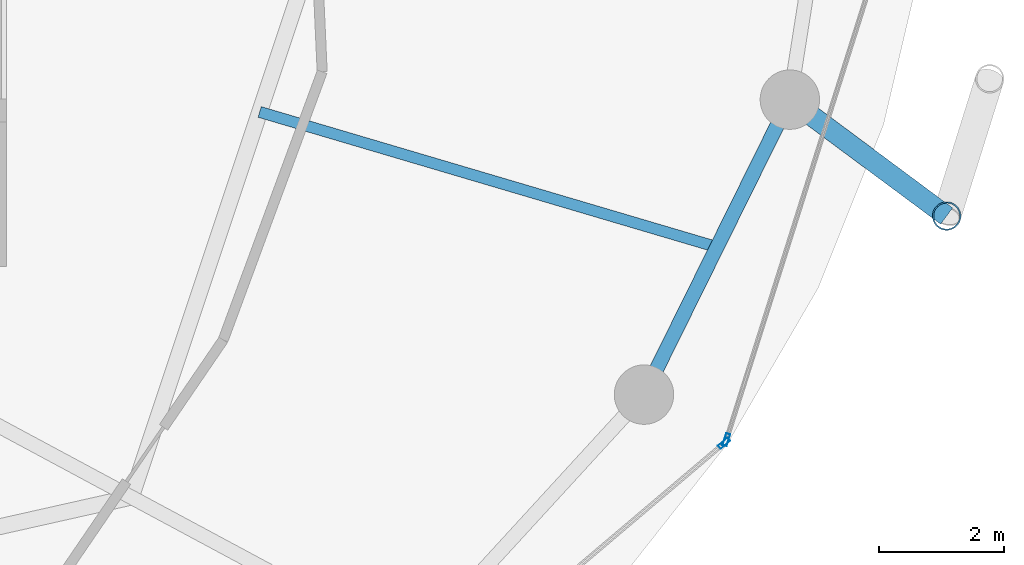
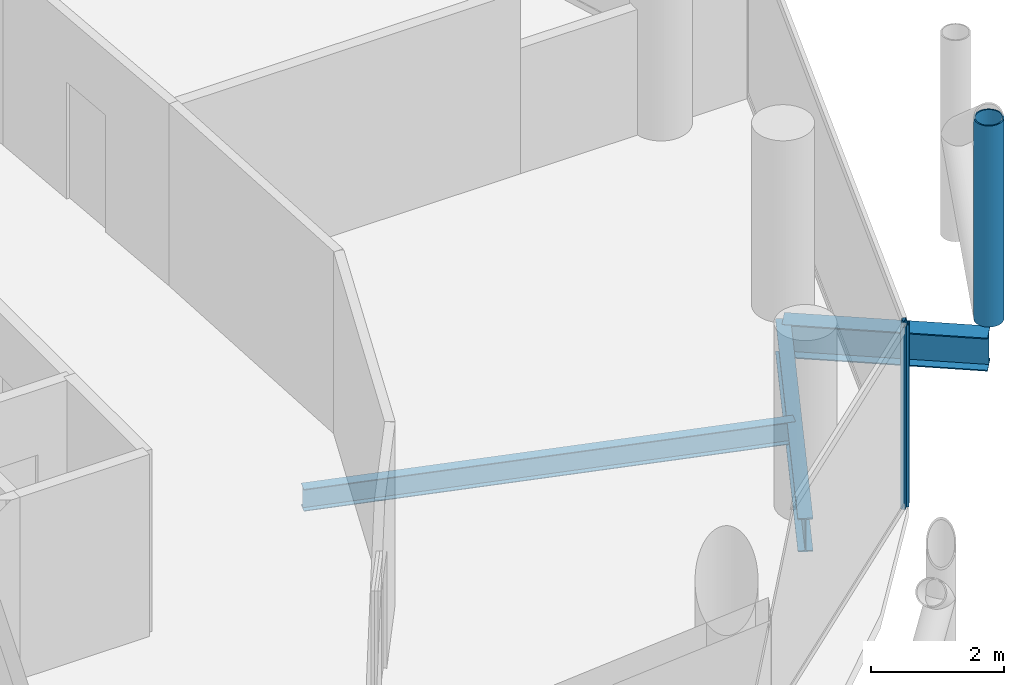
# One storey, part 10 of 26: 3 beams, 3 members, 2 elements without a shape of their own.
"""IFC4 building model written with IfcOpenShell, lengths in metres."""

from ifc_helpers import new_model, si_unit, direction, frame, origin, origin_2d, place, context, subcontext, project, spatial, hollow_rectangle, hollow_circle, i_section, extrude, material, layer, layer_set, material_profile, profile_set, type_object, element, aggregate, save


model = new_model("IFC4")

# Units and contexts
model_context = context("Model", 3, precision=1e-05, world=origin(), true_north=direction((0.0, 1.0)))
body_context = subcontext(model_context, "Body", "Model", "MODEL_VIEW")
ifc_project = project(units=[si_unit("LENGTHUNIT", "METRE"), si_unit("AREAUNIT", "SQUARE_METRE"), si_unit("VOLUMEUNIT", "CUBIC_METRE"), si_unit("PLANEANGLEUNIT", "RADIAN"), si_unit("MASSUNIT", "GRAM", prefix="KILO")], contexts=[model_context])

# Site, building, storey
site_placement = place(None, origin())
site = spatial("IfcSite", under=ifc_project, at=site_placement, CompositionType="ELEMENT")
building_placement = place(site_placement, origin())
building = spatial("IfcBuilding", under=site, at=building_placement, Name="Nuhasar Tower", CompositionType="ELEMENT")
storey_placement = place(building_placement, frame((0.0, 0.0, 192.25)))
storey = spatial("IfcBuildingStorey", under=building, at=storey_placement, Name="L47", CompositionType="ELEMENT", Elevation=192.25)

# Beams
ifc_material_1 = material(Name="Steel S355", Category="steel")
ifc_material_profile_1 = material_profile(ifc_material_1, i_section(OverallWidth=0.177978515625, OverallDepth=0.406005859375, WebThickness=0.0078125, FlangeThickness=0.0126953125, at=origin_2d()), Name="W16X40")
ifc_profile_set_1 = profile_set([ifc_material_profile_1], Name="Steel S355")
beam_type_1 = type_object("IfcBeamType", Name="BM-JST-W16X40", PredefinedType="JOIST", material=ifc_profile_set_1)
beam_1_placement = place(storey_placement, frame((53.0791015625, 21.54296875, -0.452880859375), z_axis=(0.959000494697, -0.283404395116, 0.0), x_axis=(0.283404395116, 0.959000494697, 0.0)))
element("IfcBeam", 1, at=beam_1_placement, inside=storey, type_object=beam_type_1, Name="L47 Secondary Floor Joist 03", PredefinedType="JOIST", context=body_context, shape_type="SweptSolid", body=[
    extrude(i_section(OverallWidth=0.177978515625, OverallDepth=0.406005859375, WebThickness=0.0078125, FlangeThickness=0.0126953125, at=origin_2d()), origin(), (0.0, 0.0, 1.0), 7.621337890625),
])
ifc_material_profile_2 = material_profile(ifc_material_1, i_section(OverallWidth=0.22998046875, OverallDepth=0.616943359375, WebThickness=0.01318359375, FlangeThickness=0.022216796875, at=origin_2d()), Name="W24X94")
ifc_profile_set_2 = profile_set([ifc_material_profile_2], Name="Steel S355")
beam_type_2 = type_object("IfcBeamType", Name="BM-RING-W24X94", PredefinedType="SPANDREL", material=ifc_profile_set_2)
beam_2_placement = place(storey_placement, frame((59.221923828125, 17.02490234375, -0.55908203125), z_axis=(0.443329327657, 0.896358804966, 0.0), x_axis=(-0.896358804966, 0.443329327657, 0.0)))
element("IfcBeam", 2, at=beam_2_placement, inside=storey, type_object=beam_type_2, Name="L47 Perimeter Ring Spandrel 23", PredefinedType="SPANDREL", context=body_context, shape_type="SweptSolid", body=[
    extrude(i_section(OverallWidth=0.22998046875, OverallDepth=0.616943359375, WebThickness=0.01318359375, FlangeThickness=0.022216796875, at=origin_2d()), origin(), (0.0, 0.0, 1.0), 5.26025390625),
])
ifc_material_profile_3 = material_profile(ifc_material_1, i_section(OverallWidth=0.323974609375, OverallDepth=0.611083984375, WebThickness=0.0126953125, FlangeThickness=0.01904296875, at=origin_2d()), Name="W24X104")
ifc_profile_set_3 = profile_set([ifc_material_profile_3], Name="Steel S355")
beam_type_3 = type_object("IfcBeamType", Name="BM-TIE-W24X104", PredefinedType="BEAM", material=ifc_profile_set_3)
beam_3_placement = place(storey_placement, frame((61.553955078125, 21.739990234375, -0.554931640625), z_axis=(0.80283476238, -0.596201597041, 0.0), x_axis=(0.596201597041, 0.80283476238, 0.0)))
element("IfcBeam", 3, at=beam_3_placement, inside=storey, type_object=beam_type_3, Name="L47 Exoskeleton Node Tie Beam 12", PredefinedType="BEAM", context=body_context, shape_type="SweptSolid", body=[
    extrude(i_section(OverallWidth=0.323974609375, OverallDepth=0.611083984375, WebThickness=0.0126953125, FlangeThickness=0.01904296875, at=origin_2d()), origin(), (0.0, 0.0, 1.0), 3.12158203125),
])

# Curtain wall, member
ifc_material_2 = material(Name="Aluminium 6063-T6", Category="aluminium")
ifc_layer = layer(ifc_material_2, 0.199951171875)
ifc_layer_set = layer_set([ifc_layer], Name="Aluminium 6063-T6")
curtain_wall_type = type_object("IfcCurtainWallType", Name="CW-Z2-HTL", PredefinedType="NOTDEFINED", material=ifc_layer_set)
curtain_wall_1_placement = place(storey_placement, origin())
curtain_wall_1 = element("IfcCurtainWall", 4, at=curtain_wall_1_placement, inside=storey, type_object=curtain_wall_type, Name="L47 Unitised Curtain Wall 11", PredefinedType="NOTDEFINED")
ifc_material_profile_4 = material_profile(ifc_material_2, hollow_rectangle(XDim=0.070068359375, YDim=0.199951171875, WallThickness=0.0048828125, at=origin_2d()), Name="CWM-3")
ifc_profile_set_4 = profile_set([ifc_material_profile_4], Name="Aluminium 6063-T6")
member_type_1 = type_object("IfcMemberType", Name="CW-MUL-S3", PredefinedType="MULLION", material=ifc_profile_set_4)
member_1_placement = place(storey_placement, frame((60.502197265625, 16.247314453125, 0.0), z_axis=(0.0, 0.0, 1.0), x_axis=(-0.646374438324, 0.763020370292, 0.0)))
member_1 = element("IfcMember", 5, at=member_1_placement, type_object=member_type_1, Name="CW-Z2 mullion 2", PredefinedType="MULLION", context=body_context, shape_type="SweptSolid", body=[
    extrude(hollow_rectangle(XDim=0.070068359375, YDim=0.199951171875, WallThickness=0.0048828125, at=origin_2d()), origin(), (0.0, 0.0, 1.0), 3.35009765625),
])
aggregate(curtain_wall_1, [member_1])

curtain_wall_2_placement = place(storey_placement, origin())
curtain_wall_2 = element("IfcCurtainWall", 6, at=curtain_wall_2_placement, inside=storey, type_object=curtain_wall_type, Name="L47 Unitised Curtain Wall 12", PredefinedType="NOTDEFINED")
member_2_placement = place(storey_placement, frame((60.53955078125, 16.303466796875, 0.0), z_axis=(0.0, 0.0, 1.0), x_axis=(-0.953433389233, 0.301603667577, 0.0)))
member_2 = element("IfcMember", 7, at=member_2_placement, type_object=member_type_1, Name="CW-Z2 mullion 1", PredefinedType="MULLION", context=body_context, shape_type="SweptSolid", body=[
    extrude(hollow_rectangle(XDim=0.070068359375, YDim=0.199951171875, WallThickness=0.0048828125, at=origin_2d()), origin(), (0.0, 0.0, 1.0), 3.35009765625),
])
aggregate(curtain_wall_2, [member_2])

# Member
ifc_material_3 = material(Name="Steel S460", Category="steel")
ifc_material_profile_5 = material_profile(ifc_material_3, hollow_circle(Radius=0.228515625, WallThickness=0.022216796875, at=origin_2d()), Name="HSS457X22.2")
ifc_profile_set_5 = profile_set([ifc_material_profile_5], Name="Steel S460")
member_type_2 = type_object("IfcMemberType", Name="EXO-BRONZE-457", PredefinedType="BRACE", material=ifc_profile_set_5)
member_3_placement = place(storey_placement, frame((64.06005859375, 19.87890625, 0.0), z_axis=(0.0, 0.0, 1.0), x_axis=(1.0, 0.0, 0.0)))
element("IfcMember", 8, at=member_3_placement, inside=storey, type_object=member_type_2, Name="L47 Exoskeleton Chord Column EC-12A", PredefinedType="BRACE", context=body_context, shape_type="SweptSolid", body=[
    extrude(hollow_circle(Radius=0.228515625, WallThickness=0.022216796875, at=origin_2d()), origin(), (0.0, 0.0, 1.0), 3.699951171875),
])

save(model, "model.ifc")
